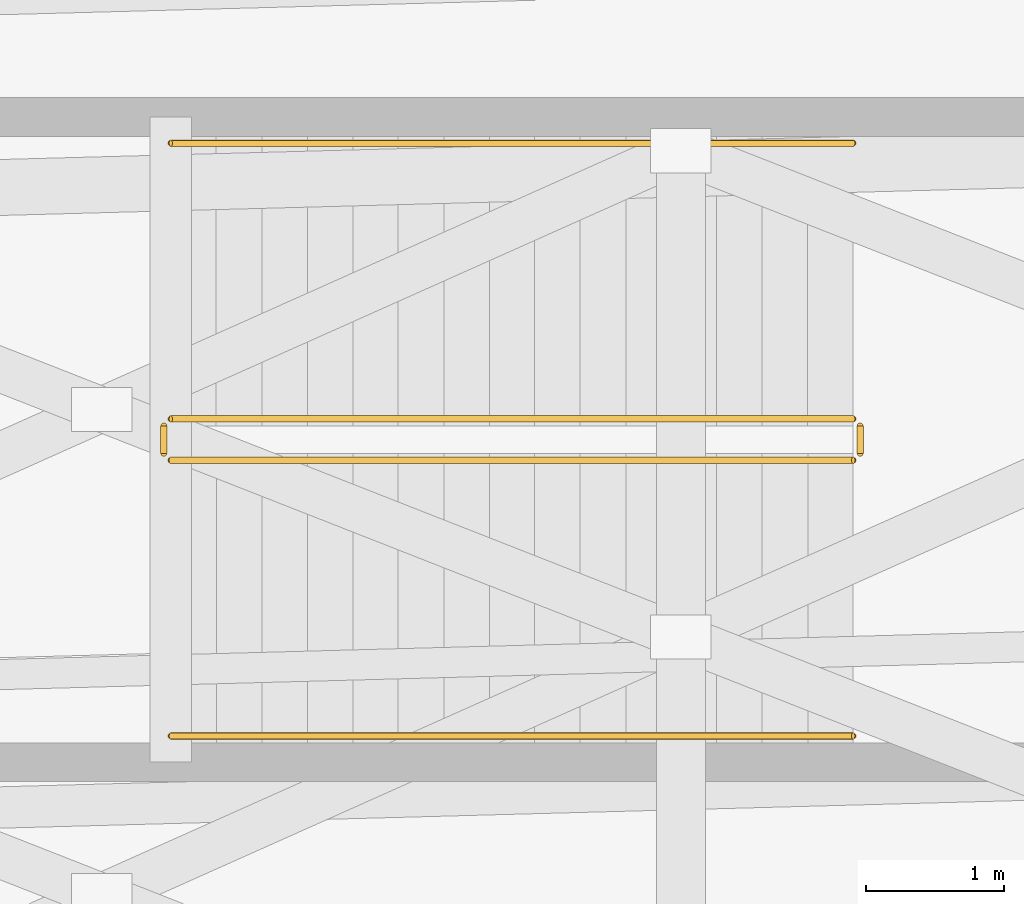
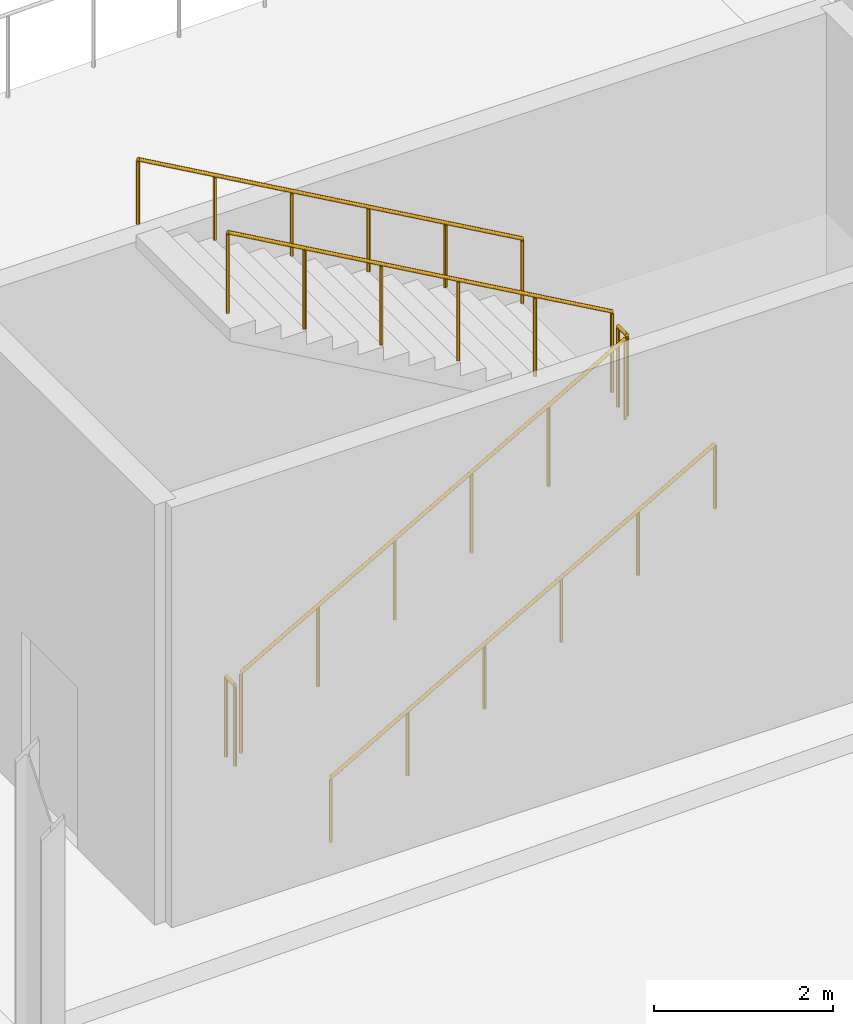
# One storey, part 94 of 100: 6 railings.
"""IFC4 building model written with IfcOpenShell, lengths in metres."""

from ifc_helpers import new_model, si_unit, direction, frame, origin, origin_2d, place, context, subcontext, project, spatial, circle, extrude, material, type_object, element, save


model = new_model("IFC4")

# Units and contexts
model_context = context("Model", 3, precision=1e-05, world=origin(), true_north=direction((0.0, 1.0)))
body_context = subcontext(model_context, "Body", "Model", "MODEL_VIEW")
ifc_project = project(units=[si_unit("LENGTHUNIT", "METRE"), si_unit("AREAUNIT", "SQUARE_METRE"), si_unit("VOLUMEUNIT", "CUBIC_METRE"), si_unit("PLANEANGLEUNIT", "RADIAN"), si_unit("MASSUNIT", "GRAM", prefix="KILO")], contexts=[model_context])

# Site, building, storey
site_placement = place(None, origin())
site = spatial("IfcSite", under=ifc_project, at=site_placement, CompositionType="ELEMENT")
building_placement = place(site_placement, origin())
building = spatial("IfcBuilding", under=site, at=building_placement, Name="Kimbaza Rail Terminus", CompositionType="ELEMENT")
storey_placement = place(building_placement, frame((0.0, 0.0, 10.800048828125)))
storey = spatial("IfcBuildingStorey", under=building, at=storey_placement, Name="L02", CompositionType="ELEMENT", Elevation=10.800048828125)

# Railings
ifc_material_1 = material(Name="Brushed stainless steel handrail", Category="steel")
railing_type_1 = type_object("IfcRailingType", Name="ARC-RL-HND92", PredefinedType="HANDRAIL", material=ifc_material_1)
railing_1_placement = place(storey_placement, frame((93.5, 81.85009765625, 0.1875)))
element("IfcRailing", 1, at=railing_1_placement, inside=storey, type_object=railing_type_1, Name="L02 ST-C3 stair handrail 1", PredefinedType="HANDRAIL", context=body_context, shape_type="SweptSolid", body=[
    extrude(circle(Radius=0.02392578125, at=origin_2d()), frame((0.0, 0.0, 0.8759765625), z_axis=(0.869454464302, 0.0, 0.494013091431), x_axis=(0.0, 1.0, 0.0)), (0.0, 0.0, 1.0), 5.693115234375),
    extrude(circle(Radius=0.02099609375, at=origin_2d()), origin(), (0.0, 0.0, 1.0), 0.851806640625),
    extrude(circle(Radius=0.02099609375, at=origin_2d()), frame((0.989990234375, 0.0, 0.5625)), (0.0, 0.0, 1.0), 0.851806640625),
    extrude(circle(Radius=0.02099609375, at=origin_2d()), frame((1.97998046875, 0.0, 1.125)), (0.0, 0.0, 1.0), 0.851806640625),
    extrude(circle(Radius=0.02099609375, at=origin_2d()), frame((2.969970703125, 0.0, 1.6875)), (0.0, 0.0, 1.0), 0.851806640625),
    extrude(circle(Radius=0.02099609375, at=origin_2d()), frame((3.9599609375, 0.0, 2.25)), (0.0, 0.0, 1.0), 0.851806640625),
    extrude(circle(Radius=0.02099609375, at=origin_2d()), frame((4.949951171875, 0.0, 2.8125)), (0.0, 0.0, 1.0), 0.851806640625),
])
railing_2_placement = place(storey_placement, frame((98.449951171875, 86.14990234375, 3.1875)))
element("IfcRailing", 2, at=railing_2_placement, inside=storey, type_object=railing_type_1, Name="L02 ST-C3 stair handrail 2", PredefinedType="HANDRAIL", context=body_context, shape_type="SweptSolid", body=[
    extrude(circle(Radius=0.02392578125, at=origin_2d()), frame((0.0, 0.0, 0.8759765625), z_axis=(-0.869454464302, 0.0, 0.494013091431), x_axis=(0.0, -1.0, 0.0)), (0.0, 0.0, 1.0), 5.693115234375),
    extrude(circle(Radius=0.02099609375, at=origin_2d()), origin(), (0.0, 0.0, 1.0), 0.851806640625),
    extrude(circle(Radius=0.02099609375, at=origin_2d()), frame((-0.989990234375, 0.0, 0.5625)), (0.0, 0.0, 1.0), 0.851806640625),
    extrude(circle(Radius=0.02099609375, at=origin_2d()), frame((-1.97998046875, 0.0, 1.125)), (0.0, 0.0, 1.0), 0.851806640625),
    extrude(circle(Radius=0.02099609375, at=origin_2d()), frame((-2.969970703125, 0.0, 1.6875)), (0.0, 0.0, 1.0), 0.851806640625),
    extrude(circle(Radius=0.02099609375, at=origin_2d()), frame((-3.9599609375, 0.0, 2.25)), (0.0, 0.0, 1.0), 0.851806640625),
    extrude(circle(Radius=0.02099609375, at=origin_2d()), frame((-4.949951171875, 0.0, 2.8125)), (0.0, 0.0, 1.0), 0.851806640625),
])
ifc_material_2 = material(Name="Painted tubular steel stair well guard", Category="steel")
railing_type_2 = type_object("IfcRailingType", Name="ARC-RL-STGRD", PredefinedType="GUARDRAIL", material=ifc_material_2)
railing_3_placement = place(storey_placement, frame((93.5, 83.85009765625, 0.1875)))
element("IfcRailing", 3, at=railing_3_placement, inside=storey, type_object=railing_type_2, Name="L02 ST-C3 stair guard 1", PredefinedType="GUARDRAIL", context=body_context, shape_type="SweptSolid", body=[
    extrude(circle(Radius=0.02392578125, at=origin_2d()), frame((0.0, 0.0, 1.09619140625), z_axis=(0.869454464302, 0.0, 0.494013091431), x_axis=(0.0, 1.0, 0.0)), (0.0, 0.0, 1.0), 5.693115234375),
    extrude(circle(Radius=0.02099609375, at=origin_2d()), origin(), (0.0, 0.0, 1.0), 1.072021484375),
    extrude(circle(Radius=0.02099609375, at=origin_2d()), frame((0.989990234375, 0.0, 0.5625)), (0.0, 0.0, 1.0), 1.072021484375),
    extrude(circle(Radius=0.02099609375, at=origin_2d()), frame((1.97998046875, 0.0, 1.125)), (0.0, 0.0, 1.0), 1.072021484375),
    extrude(circle(Radius=0.02099609375, at=origin_2d()), frame((2.969970703125, 0.0, 1.6875)), (0.0, 0.0, 1.0), 1.072021484375),
    extrude(circle(Radius=0.02099609375, at=origin_2d()), frame((3.9599609375, 0.0, 2.25)), (0.0, 0.0, 1.0), 1.072021484375),
    extrude(circle(Radius=0.02099609375, at=origin_2d()), frame((4.949951171875, 0.0, 2.8125)), (0.0, 0.0, 1.0), 1.072021484375),
])
railing_4_placement = place(storey_placement, frame((98.5, 83.89990234375, 3.0)))
element("IfcRailing", 4, at=railing_4_placement, inside=storey, type_object=railing_type_2, Name="L02 ST-C3 stair guard 2", PredefinedType="GUARDRAIL", context=body_context, shape_type="SweptSolid", body=[
    extrude(circle(Radius=0.02392578125, at=origin_2d()), frame((0.0, 0.0, 1.09619140625), z_axis=(0.0, 1.0, 0.0), x_axis=(-1.0, 0.0, 0.0)), (0.0, 0.0, 1.0), 0.2001953125),
    extrude(circle(Radius=0.02099609375, at=origin_2d()), origin(), (0.0, 0.0, 1.0), 1.072021484375),
    extrude(circle(Radius=0.02099609375, at=origin_2d()), frame((0.0, 0.2001953125, 0.0)), (0.0, 0.0, 1.0), 1.072021484375),
])
railing_5_placement = place(storey_placement, frame((98.449951171875, 84.14990234375, 3.1875)))
element("IfcRailing", 5, at=railing_5_placement, inside=storey, type_object=railing_type_2, Name="L02 ST-C3 stair guard 3", PredefinedType="GUARDRAIL", context=body_context, shape_type="SweptSolid", body=[
    extrude(circle(Radius=0.02392578125, at=origin_2d()), frame((0.0, 0.0, 1.09619140625), z_axis=(-0.869454464302, 0.0, 0.494013091431), x_axis=(0.0, -1.0, 0.0)), (0.0, 0.0, 1.0), 5.693115234375),
    extrude(circle(Radius=0.02099609375, at=origin_2d()), origin(), (0.0, 0.0, 1.0), 1.072021484375),
    extrude(circle(Radius=0.02099609375, at=origin_2d()), frame((-0.989990234375, 0.0, 0.5625)), (0.0, 0.0, 1.0), 1.072021484375),
    extrude(circle(Radius=0.02099609375, at=origin_2d()), frame((-1.97998046875, 0.0, 1.125)), (0.0, 0.0, 1.0), 1.072021484375),
    extrude(circle(Radius=0.02099609375, at=origin_2d()), frame((-2.969970703125, 0.0, 1.6875)), (0.0, 0.0, 1.0), 1.072021484375),
    extrude(circle(Radius=0.02099609375, at=origin_2d()), frame((-3.9599609375, 0.0, 2.25)), (0.0, 0.0, 1.0), 1.072021484375),
    extrude(circle(Radius=0.02099609375, at=origin_2d()), frame((-4.949951171875, 0.0, 2.8125)), (0.0, 0.0, 1.0), 1.072021484375),
])
railing_6_placement = place(storey_placement, frame((93.449951171875, 83.89990234375, 0.0)))
element("IfcRailing", 6, at=railing_6_placement, inside=storey, type_object=railing_type_2, Name="L02 ST-C3 stair guard 4", PredefinedType="GUARDRAIL", context=body_context, shape_type="SweptSolid", body=[
    extrude(circle(Radius=0.02392578125, at=origin_2d()), frame((0.0, 0.0, 1.09619140625), z_axis=(0.0, 1.0, 0.0), x_axis=(-1.0, 0.0, 0.0)), (0.0, 0.0, 1.0), 0.2001953125),
    extrude(circle(Radius=0.02099609375, at=origin_2d()), origin(), (0.0, 0.0, 1.0), 1.072021484375),
    extrude(circle(Radius=0.02099609375, at=origin_2d()), frame((0.0, 0.2001953125, 0.0)), (0.0, 0.0, 1.0), 1.072021484375),
])

save(model, "model.ifc")
